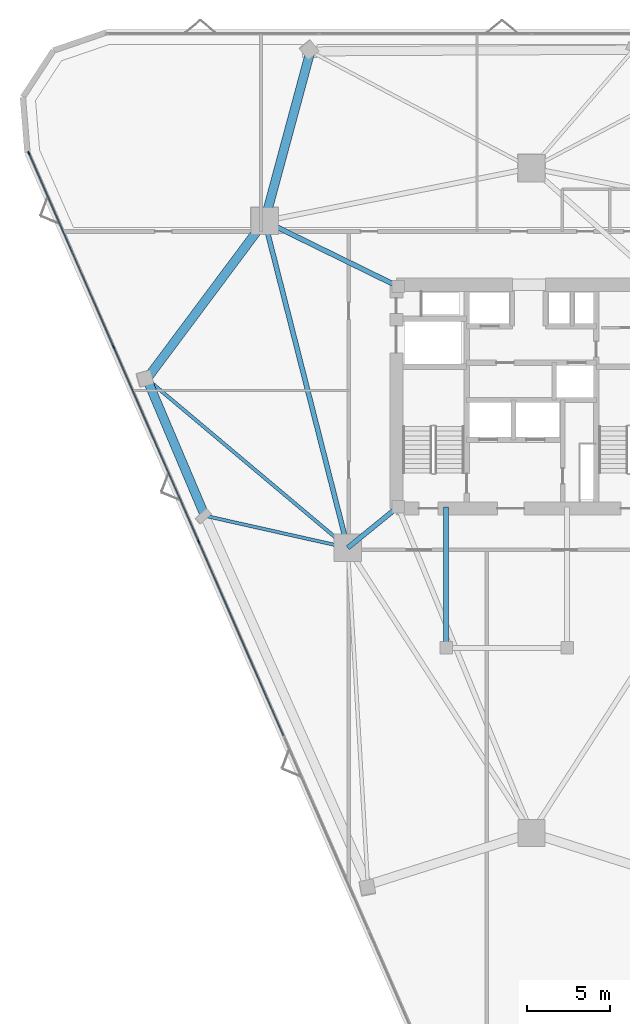
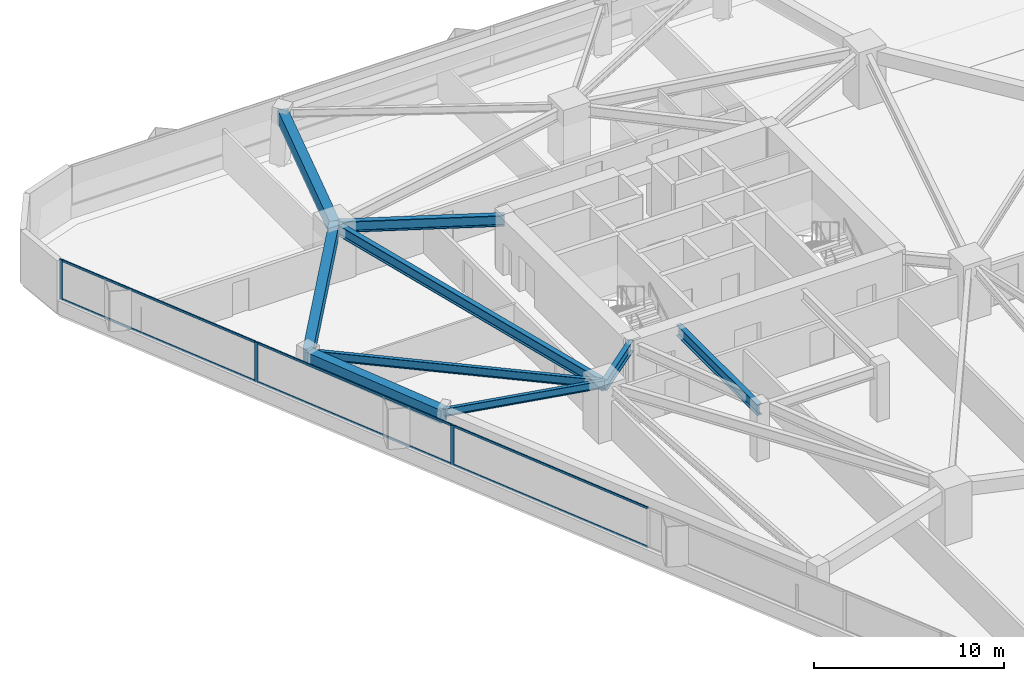
# One storey, part 4 of 15: 9 beams, 9 members, 1 element without a shape of its own.
"""IFC4 building model written with IfcOpenShell, lengths in metres."""

from ifc_helpers import new_model, si_unit, direction, frame, origin, origin_2d, place, context, subcontext, project, spatial, rectangle, i_section, extrude, material, layer, layer_set, material_profile, profile_set, type_object, element, aggregate, save


model = new_model("IFC4")

# Units and contexts
model_context = context("Model", 3, precision=1e-05, world=origin(), true_north=direction((0.0, 1.0)))
body_context = subcontext(model_context, "Body", "Model", "MODEL_VIEW")
ifc_project = project(units=[si_unit("LENGTHUNIT", "METRE"), si_unit("AREAUNIT", "SQUARE_METRE"), si_unit("VOLUMEUNIT", "CUBIC_METRE"), si_unit("PLANEANGLEUNIT", "RADIAN"), si_unit("MASSUNIT", "GRAM", prefix="KILO")], contexts=[model_context])

# Site, building, storey
site_placement = place(None, origin())
site = spatial("IfcSite", under=ifc_project, at=site_placement, CompositionType="ELEMENT")
building_placement = place(site_placement, origin())
building = spatial("IfcBuilding", under=site, at=building_placement, Name="Talyreon Biosciences Tower", CompositionType="ELEMENT")
storey_placement = place(building_placement, frame((0.0, 0.0, 100.550048828125)))
storey = spatial("IfcBuildingStorey", under=building, at=storey_placement, Name="L26", CompositionType="ELEMENT", Elevation=100.550048828125)

# Curtain wall, members
ifc_material_1 = material(Name="Thermally broken aluminium and low-E glazing", Category="aluminium")
ifc_layer = layer(ifc_material_1, 0.205078125)
ifc_layer_set = layer_set([ifc_layer], Name="Thermally broken aluminium and low-E glazing")
curtain_wall_type = type_object("IfcCurtainWallType", Name="CurtainWall_SkyGardenLoggia", PredefinedType="NOTDEFINED", material=ifc_layer_set)
curtain_wall_placement = place(storey_placement, origin())
curtain_wall = element("IfcCurtainWall", 1, at=curtain_wall_placement, inside=storey, type_object=curtain_wall_type, Name="L26 Unitised Curtain Wall FCW-L26-15", PredefinedType="NOTDEFINED")
ifc_material_2 = material(Name="Anodised thermally broken aluminium", Category="aluminium")
ifc_material_profile_1 = material_profile(ifc_material_2, rectangle(XDim=0.074951171875, YDim=0.2099609375, at=origin_2d()), Name="ALUM MULLION 75x210")
ifc_profile_set_1 = profile_set([ifc_material_profile_1], Name="Anodised thermally broken aluminium")
member_type_1 = type_object("IfcMemberType", Name="CWMullion_75x210", PredefinedType="MULLION", material=ifc_profile_set_1)
member_1_placement = place(storey_placement, frame((45.916015625, 59.25146484375, 0.81005859375), z_axis=(0.0, 0.0, 1.0), x_axis=(-0.9163461482, -0.400386983653, 0.0)))
member_1 = element("IfcMember", 2, at=member_1_placement, type_object=member_type_1, Name="CW7 mullion 4", PredefinedType="MULLION", context=body_context, shape_type="SweptSolid", body=[
    extrude(rectangle(XDim=0.074951171875, YDim=0.2099609375, at=origin_2d()), origin(), (0.0, 0.0, 1.0), 2.56494140625),
])
member_2_placement = place(storey_placement, frame((40.78515625, 70.994140625, 0.81005859375), z_axis=(0.0, 0.0, 1.0), x_axis=(-0.9163461482, -0.400386983653, 0.0)))
member_2 = element("IfcMember", 3, at=member_2_placement, type_object=member_type_1, Name="CW7 mullion 5", PredefinedType="MULLION", context=body_context, shape_type="SweptSolid", body=[
    extrude(rectangle(XDim=0.074951171875, YDim=0.2099609375, at=origin_2d()), origin(), (0.0, 0.0, 1.0), 2.56494140625),
])
member_3_placement = place(storey_placement, frame((35.66943359375, 82.7021484375, 0.81005859375), z_axis=(0.0, 0.0, 1.0), x_axis=(-0.9163461482, -0.400386983653, 0.0)))
member_3 = element("IfcMember", 4, at=member_3_placement, type_object=member_type_1, Name="CW7 mullion 6", PredefinedType="MULLION", context=body_context, shape_type="SweptSolid", body=[
    extrude(rectangle(XDim=0.074951171875, YDim=0.2099609375, at=origin_2d()), origin(), (0.0, 0.0, 1.0), 2.56494140625),
])
ifc_material_profile_2 = material_profile(ifc_material_2, rectangle(XDim=0.06494140625, YDim=0.139892578125, at=origin_2d()), Name="ALUM TRANSOM 65x140")
ifc_profile_set_2 = profile_set([ifc_material_profile_2], Name="Anodised thermally broken aluminium")
member_type_2 = type_object("IfcMemberType", Name="CWTransom_65x140", PredefinedType="USERDEFINED", material=ifc_profile_set_2)
member_4_placement = place(storey_placement, frame((51.03173828125, 47.54345703125, 0.842529296875), z_axis=(-0.4003764421, 0.916350754139, 0.0), x_axis=(-0.916350754139, -0.4003764421, 0.0)))
member_4 = element("IfcMember", 5, at=member_4_placement, type_object=member_type_2, Name="CW7 transom 3.1", ObjectType="TRANSOM", PredefinedType="USERDEFINED", context=body_context, shape_type="SweptSolid", body=[
    extrude(rectangle(XDim=0.06494140625, YDim=0.139892578125, at=origin_2d()), origin(), (0.0, 0.0, 1.0), 12.739501953125),
])
member_5_placement = place(storey_placement, frame((51.03173828125, 47.54345703125, 3.342529296875), z_axis=(-0.4003764421, 0.916350754139, 0.0), x_axis=(-0.916350754139, -0.4003764421, 0.0)))
member_5 = element("IfcMember", 6, at=member_5_placement, type_object=member_type_2, Name="CW7 transom 3.2", ObjectType="TRANSOM", PredefinedType="USERDEFINED", context=body_context, shape_type="SweptSolid", body=[
    extrude(rectangle(XDim=0.06494140625, YDim=0.139892578125, at=origin_2d()), origin(), (0.0, 0.0, 1.0), 12.739501953125),
])
member_6_placement = place(storey_placement, frame((45.901123046875, 59.285888671875, 0.842529296875), z_axis=(-0.400392533988, 0.916343723025, 0.0), x_axis=(-0.916343723025, -0.400392533988, 0.0)))
member_6 = element("IfcMember", 7, at=member_6_placement, type_object=member_type_2, Name="CW7 transom 4.1", ObjectType="TRANSOM", PredefinedType="USERDEFINED", context=body_context, shape_type="SweptSolid", body=[
    extrude(rectangle(XDim=0.06494140625, YDim=0.139892578125, at=origin_2d()), origin(), (0.0, 0.0, 1.0), 12.739501953125),
])
member_7_placement = place(storey_placement, frame((45.901123046875, 59.285888671875, 3.342529296875), z_axis=(-0.400392533988, 0.916343723025, 0.0), x_axis=(-0.916343723025, -0.400392533988, 0.0)))
member_7 = element("IfcMember", 8, at=member_7_placement, type_object=member_type_2, Name="CW7 transom 4.2", ObjectType="TRANSOM", PredefinedType="USERDEFINED", context=body_context, shape_type="SweptSolid", body=[
    extrude(rectangle(XDim=0.06494140625, YDim=0.139892578125, at=origin_2d()), origin(), (0.0, 0.0, 1.0), 12.739501953125),
])
member_8_placement = place(storey_placement, frame((40.770263671875, 71.028564453125, 0.842529296875), z_axis=(-0.400386229252, 0.916346477827, 0.0), x_axis=(-0.916346477827, -0.400386229252, 0.0)))
member_8 = element("IfcMember", 9, at=member_8_placement, type_object=member_type_2, Name="CW7 transom 5.1", ObjectType="TRANSOM", PredefinedType="USERDEFINED", context=body_context, shape_type="SweptSolid", body=[
    extrude(rectangle(XDim=0.06494140625, YDim=0.139892578125, at=origin_2d()), origin(), (0.0, 0.0, 1.0), 12.701904296875),
])
member_9_placement = place(storey_placement, frame((40.770263671875, 71.028564453125, 3.342529296875), z_axis=(-0.400386229252, 0.916346477827, 0.0), x_axis=(-0.916346477827, -0.400386229252, 0.0)))
member_9 = element("IfcMember", 10, at=member_9_placement, type_object=member_type_2, Name="CW7 transom 5.2", ObjectType="TRANSOM", PredefinedType="USERDEFINED", context=body_context, shape_type="SweptSolid", body=[
    extrude(rectangle(XDim=0.06494140625, YDim=0.139892578125, at=origin_2d()), origin(), (0.0, 0.0, 1.0), 12.701904296875),
])
aggregate(curtain_wall, [member_1, member_2, member_3, member_4, member_5, member_6, member_7, member_8, member_9])

# Beams
ifc_material_3 = material(Name="Precast concrete C45/55", Category="concrete")
ifc_material_profile_3 = material_profile(ifc_material_3, rectangle(XDim=0.550048828125, YDim=0.85009765625, at=origin_2d()), Name="RCB 550x850")
ifc_profile_set_3 = profile_set([ifc_material_profile_3], Name="Precast concrete C45/55")
beam_type_1 = type_object("IfcBeamType", Name="ExpressedSpandrel_550x850", PredefinedType="SPANDREL", material=ifc_profile_set_3)
beam_1_placement = place(storey_placement, frame((52.659912109375, 88.836669921875, 2.949951171875), z_axis=(-0.260484520387, -0.965478023903, 0.0), x_axis=(0.965478023903, -0.260484520387, 0.0)))
element("IfcBeam", 11, at=beam_1_placement, inside=storey, type_object=beam_type_1, Name="L26 Expressed Horizontal Concrete Spandrel 08", PredefinedType="SPANDREL", context=body_context, shape_type="SweptSolid", body=[
    extrude(rectangle(XDim=0.550048828125, YDim=0.85009765625, at=origin_2d()), origin(), (0.0, 0.0, 1.0), 10.60400390625),
])
beam_2_placement = place(storey_placement, frame((49.897705078125, 78.5986328125, 2.949951171875), z_axis=(-0.597976477539, -0.801513650732, 0.0), x_axis=(0.801513650732, -0.597976477539, 0.0)))
element("IfcBeam", 12, at=beam_2_placement, inside=storey, type_object=beam_type_1, Name="L26 Expressed Horizontal Concrete Spandrel 09", PredefinedType="SPANDREL", context=body_context, shape_type="SweptSolid", body=[
    extrude(rectangle(XDim=0.550048828125, YDim=0.85009765625, at=origin_2d()), origin(), (0.0, 0.0, 1.0), 11.88330078125),
])
beam_3_placement = place(storey_placement, frame((42.791748046875, 69.073974609375, 2.949951171875), z_axis=(0.390158419661, -0.920747743721, 0.0), x_axis=(0.920747743721, 0.390158419661, 0.0)))
element("IfcBeam", 13, at=beam_3_placement, inside=storey, type_object=beam_type_1, Name="L26 Expressed Horizontal Concrete Spandrel 10", PredefinedType="SPANDREL", context=body_context, shape_type="SweptSolid", body=[
    extrude(rectangle(XDim=0.550048828125, YDim=0.85009765625, at=origin_2d()), origin(), (0.0, 0.0, 1.0), 8.970703125),
])
ifc_material_4 = material(Name="Steel SM355", Category="steel")
ifc_material_profile_4 = material_profile(ifc_material_4, i_section(OverallWidth=0.300048828125, OverallDepth=0.699951171875, WebThickness=0.01708984375, FlangeThickness=0.031982421875, FilletRadius=0.027099609375, at=origin_2d()), Name="HE700B")
ifc_profile_set_4 = profile_set([ifc_material_profile_4], Name="Steel SM355")
beam_type_2 = type_object("IfcBeamType", Name="SteelGirder_HE700B", PredefinedType="BEAM", material=ifc_profile_set_4)
beam_4_placement = place(storey_placement, frame((49.897705078125, 78.5986328125, 3.02490234375), z_axis=(0.246537082299, -0.969133358755, 0.0), x_axis=(0.969133358755, 0.246537082299, 0.0)))
element("IfcBeam", 14, at=beam_4_placement, inside=storey, type_object=beam_type_2, Name="L26 Mega-Ring Girder 5", PredefinedType="BEAM", context=body_context, shape_type="SweptSolid", body=[
    extrude(i_section(OverallWidth=0.300048828125, OverallDepth=0.699951171875, WebThickness=0.01708984375, FlangeThickness=0.031982421875, FilletRadius=0.027099609375, at=origin_2d()), origin(), (0.0, 0.0, 1.0), 20.34619140625),
])
beam_5_placement = place(storey_placement, frame((57.949951171875, 74.64990234375, 3.02490234375), z_axis=(-0.897852360314, 0.440296648952, 0.0), x_axis=(-0.440296648952, -0.897852360314, 0.0)))
element("IfcBeam", 15, at=beam_5_placement, inside=storey, type_object=beam_type_2, Name="L26 Radial Primary Girder 5", PredefinedType="BEAM", context=body_context, shape_type="SweptSolid", body=[
    extrude(i_section(OverallWidth=0.300048828125, OverallDepth=0.699951171875, WebThickness=0.01708984375, FlangeThickness=0.031982421875, FilletRadius=0.027099609375, at=origin_2d()), origin(), (0.0, 0.0, 1.0), 8.96826171875),
])
beam_6_placement = place(storey_placement, frame((57.949951171875, 61.35009765625, 3.02490234375), z_axis=(-0.775755154013, -0.631034025249, 0.0), x_axis=(0.631034025249, -0.775755154013, 0.0)))
element("IfcBeam", 16, at=beam_6_placement, inside=storey, type_object=beam_type_2, Name="L26 Radial Primary Girder 6", PredefinedType="BEAM", context=body_context, shape_type="SweptSolid", body=[
    extrude(i_section(OverallWidth=0.300048828125, OverallDepth=0.699951171875, WebThickness=0.01708984375, FlangeThickness=0.031982421875, FilletRadius=0.027099609375, at=origin_2d()), origin(), (0.0, 0.0, 1.0), 3.913818359375),
])
beam_7_placement = place(storey_placement, frame((60.85009765625, 52.840087890625, 3.02490234375), z_axis=(0.0, 1.0, 0.0), x_axis=(-1.0, 0.0, 0.0)))
element("IfcBeam", 17, at=beam_7_placement, inside=storey, type_object=beam_type_2, Name="L26 Crown Shaft Tie Girder W", PredefinedType="BEAM", context=body_context, shape_type="SweptSolid", body=[
    extrude(i_section(OverallWidth=0.300048828125, OverallDepth=0.699951171875, WebThickness=0.01708984375, FlangeThickness=0.031982421875, FilletRadius=0.027099609375, at=origin_2d()), origin(), (0.0, 0.0, 1.0), 8.510009765625),
])
ifc_material_profile_5 = material_profile(ifc_material_4, i_section(OverallWidth=0.199951171875, OverallDepth=0.5, WebThickness=0.01025390625, FlangeThickness=0.01611328125, FilletRadius=0.02099609375, at=origin_2d()), Name="IPE500")
ifc_profile_set_5 = profile_set([ifc_material_profile_5], Name="Steel SM355")
beam_type_3 = type_object("IfcBeamType", Name="SteelJoist_IPE500", PredefinedType="JOIST", material=ifc_profile_set_5)
beam_8_placement = place(storey_placement, frame((54.913818359375, 58.88037109375, 3.125), z_axis=(-0.975758050816, 0.218852064801, 0.0), x_axis=(-0.218852064801, -0.975758050816, 0.0)))
element("IfcBeam", 18, at=beam_8_placement, inside=storey, type_object=beam_type_3, Name="L26 Radial Composite Floor Joist PL-SW", PredefinedType="JOIST", context=body_context, shape_type="SweptSolid", body=[
    extrude(i_section(OverallWidth=0.199951171875, OverallDepth=0.5, WebThickness=0.01025390625, FlangeThickness=0.01611328125, FilletRadius=0.02099609375, at=origin_2d()), origin(), (0.0, 0.0, 1.0), 8.836181640625),
])
ifc_material_profile_6 = material_profile(ifc_material_4, i_section(OverallWidth=0.2099609375, OverallDepth=0.550048828125, WebThickness=0.010986328125, FlangeThickness=0.01708984375, FilletRadius=0.02392578125, at=origin_2d()), Name="IPE550")
ifc_profile_set_6 = profile_set([ifc_material_profile_6], Name="Steel SM355")
beam_type_4 = type_object("IfcBeamType", Name="SteelJoist_IPE550", PredefinedType="JOIST", material=ifc_profile_set_6)
beam_9_placement = place(storey_placement, frame((54.913818359375, 58.88037109375, 3.099853515625), z_axis=(-0.765360705362, 0.643601577599, 0.0), x_axis=(-0.643601577599, -0.765360705362, 0.0)))
element("IfcBeam", 19, at=beam_9_placement, inside=storey, type_object=beam_type_4, Name="L26 Radial Composite Floor Joist PC-SW1", PredefinedType="JOIST", context=body_context, shape_type="SweptSolid", body=[
    extrude(i_section(OverallWidth=0.2099609375, OverallDepth=0.550048828125, WebThickness=0.010986328125, FlangeThickness=0.01708984375, FilletRadius=0.02392578125, at=origin_2d()), origin(), (0.0, 0.0, 1.0), 15.83837890625),
])

save(model, "model.ifc")
